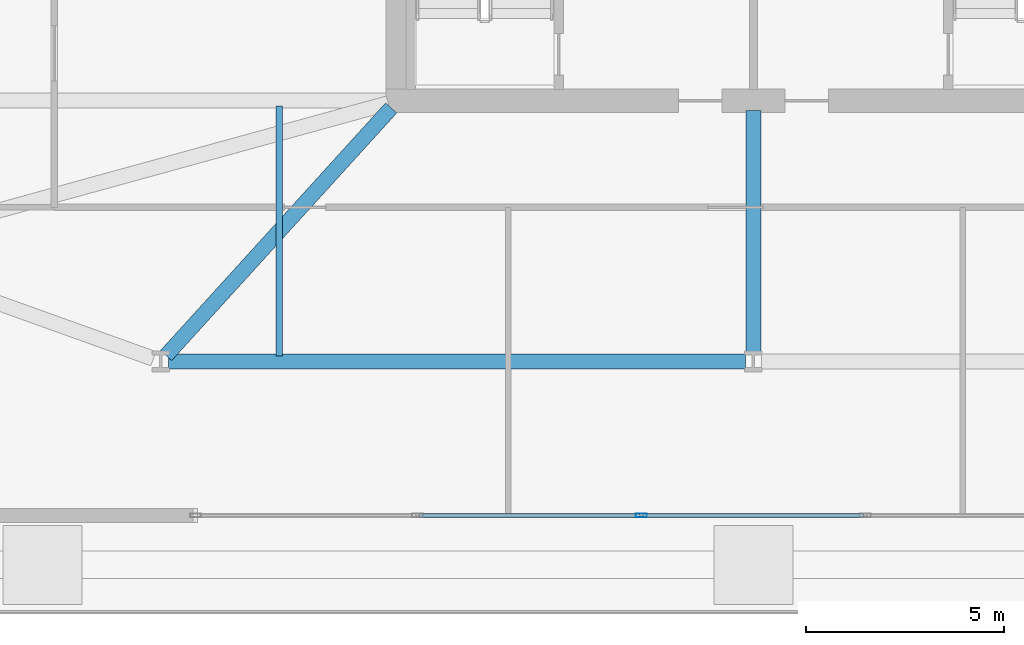
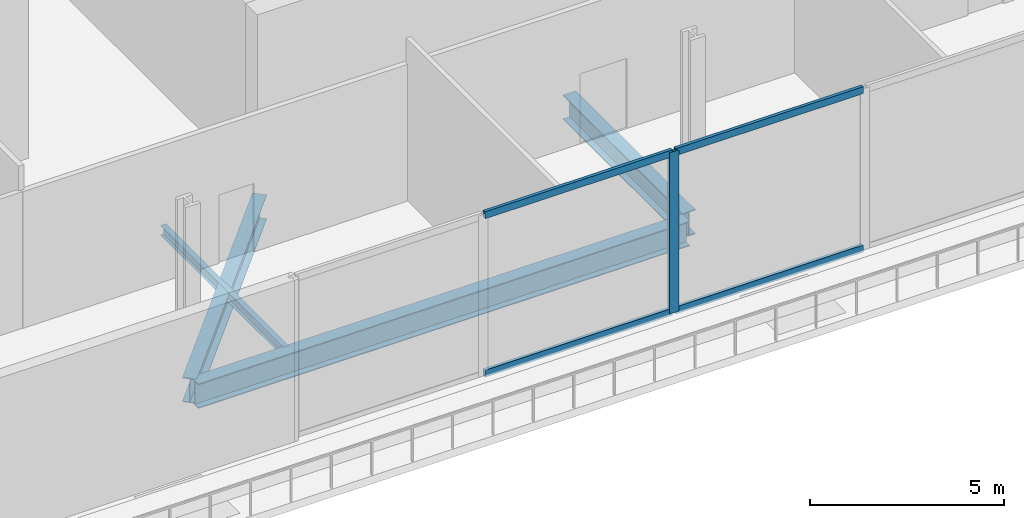
# One storey, part 3 of 20: 5 members, 4 beams, 1 element without a shape of its own.
"""IFC4 building model written with IfcOpenShell, lengths in metres."""

from ifc_helpers import new_model, si_unit, direction, frame, origin, origin_2d, place, context, subcontext, project, spatial, hollow_rectangle, i_section, extrude, material, material_profile, profile_set, type_object, element, aggregate, save


model = new_model("IFC4")

# Units and contexts
model_context = context("Model", 3, precision=1e-05, world=origin(), true_north=direction((0.0, 1.0)))
body_context = subcontext(model_context, "Body", "Model", "MODEL_VIEW")
ifc_project = project(units=[si_unit("LENGTHUNIT", "METRE"), si_unit("AREAUNIT", "SQUARE_METRE"), si_unit("VOLUMEUNIT", "CUBIC_METRE"), si_unit("PLANEANGLEUNIT", "RADIAN"), si_unit("MASSUNIT", "GRAM", prefix="KILO")], contexts=[model_context])

# Site, building, storey
site_placement = place(None, origin())
site = spatial("IfcSite", under=ifc_project, at=site_placement, CompositionType="ELEMENT")
building_placement = place(site_placement, origin())
building = spatial("IfcBuilding", under=site, at=building_placement, Name="Haldenkirk Collegiate Tower", CompositionType="ELEMENT")
storey_placement = place(building_placement, frame((0.0, 0.0, 11.39990234375)))
storey = spatial("IfcBuildingStorey", under=building, at=storey_placement, Name="L02", CompositionType="ELEMENT", Elevation=11.39990234375)

# Beams
ifc_material_1 = material(Name="Steel ASTM A992 Grade 50", Category="steel")
ifc_material_profile_1 = material_profile(ifc_material_1, i_section(OverallWidth=0.381103515625, OverallDepth=0.77294921875, WebThickness=0.0166015625, FlangeThickness=0.027099609375, at=origin_2d()), Name="W30X173")
ifc_profile_set_1 = profile_set([ifc_material_profile_1], Name="Steel ASTM A992 Grade 50")
beam_type_1 = type_object("IfcBeamType", Name="BM-GIRDER-W30X173", PredefinedType="BEAM", material=ifc_profile_set_1)
beam_1_placement = place(storey_placement, frame((21.199951171875, 11.39990234375, -0.71630859375), z_axis=(1.0, 0.0, 0.0), x_axis=(0.0, 1.0, 0.0)))
element("IfcBeam", 1, at=beam_1_placement, inside=storey, type_object=beam_type_1, Name="L02 podium ring girder 02", PredefinedType="BEAM", context=body_context, shape_type="SweptSolid", body=[
    extrude(i_section(OverallWidth=0.381103515625, OverallDepth=0.77294921875, WebThickness=0.0166015625, FlangeThickness=0.027099609375, at=origin_2d()), origin(), (0.0, 0.0, 1.0), 14.60009765625),
])
beam_2_placement = place(storey_placement, frame((36.0, 11.60009765625, -0.71630859375), z_axis=(0.0, 1.0, 0.0), x_axis=(-1.0, 0.0, 0.0)))
element("IfcBeam", 2, at=beam_2_placement, inside=storey, type_object=beam_type_1, Name="L02 podium radial girder 05", PredefinedType="BEAM", context=body_context, shape_type="SweptSolid", body=[
    extrude(i_section(OverallWidth=0.381103515625, OverallDepth=0.77294921875, WebThickness=0.0166015625, FlangeThickness=0.027099609375, at=origin_2d()), origin(), (0.0, 0.0, 1.0), 6.14990234375),
])
beam_3_placement = place(storey_placement, frame((21.134521484375, 11.548095703125, -0.71630859375), z_axis=(0.672681402593, 0.739932247307, 0.0), x_axis=(-0.739932247307, 0.672681402593, 0.0)))
element("IfcBeam", 3, at=beam_3_placement, inside=storey, type_object=beam_type_1, Name="L02 podium radial girder 07", PredefinedType="BEAM", context=body_context, shape_type="SweptSolid", body=[
    extrude(i_section(OverallWidth=0.381103515625, OverallDepth=0.77294921875, WebThickness=0.0166015625, FlangeThickness=0.027099609375, at=origin_2d()), origin(), (0.0, 0.0, 1.0), 8.469482421875),
])
ifc_material_profile_2 = material_profile(ifc_material_1, i_section(OverallWidth=0.1650390625, OverallDepth=0.31005859375, WebThickness=0.005859375, FlangeThickness=0.009765625, at=origin_2d()), Name="W12X26")
ifc_profile_set_2 = profile_set([ifc_material_profile_2], Name="Steel ASTM A992 Grade 50")
beam_type_2 = type_object("IfcBeamType", Name="BM-JOIST-W12X26", PredefinedType="JOIST", material=ifc_profile_set_2)
beam_4_placement = place(storey_placement, frame((24.0, 11.5400390625, -0.48486328125), z_axis=(0.0, 1.0, 0.0), x_axis=(-1.0, 0.0, 0.0)))
element("IfcBeam", 4, at=beam_4_placement, inside=storey, type_object=beam_type_2, Name="L02 south bay floor joist 1", PredefinedType="JOIST", context=body_context, shape_type="SweptSolid", body=[
    extrude(i_section(OverallWidth=0.1650390625, OverallDepth=0.31005859375, WebThickness=0.005859375, FlangeThickness=0.009765625, at=origin_2d()), origin(), (0.0, 0.0, 1.0), 6.320068359375),
])

# Curtain wall, members
ifc_material_2 = material(Name="Anodised architectural bronze aluminium", Category="aluminium")
curtain_wall_type = type_object("IfcCurtainWallType", Name="CW-SYS3-PODIUM", PredefinedType="USERDEFINED", material=ifc_material_2)
curtain_wall_placement = place(storey_placement, origin())
curtain_wall = element("IfcCurtainWall", 5, at=curtain_wall_placement, inside=storey, type_object=curtain_wall_type, Name="L02 Podium campus concourse and library storefront curtain wall", ObjectType="UNITISED CURTAIN WALL", PredefinedType="USERDEFINED")
ifc_material_profile_3 = material_profile(ifc_material_2, hollow_rectangle(XDim=0.094970703125, YDim=0.280029296875, WallThickness=0.0048828125, at=origin_2d()), Name="CW-MUL-03")
ifc_profile_set_3 = profile_set([ifc_material_profile_3], Name="Anodised architectural bronze aluminium")
member_type_1 = type_object("IfcMemberType", Name="CW-MUL-03", PredefinedType="MULLION", material=ifc_profile_set_3)
member_1_placement = place(storey_placement, frame((33.16650390625, 7.5, 0.0), z_axis=(0.0, 0.0, 1.0), x_axis=(0.0, -1.0, 0.0)))
member_1 = element("IfcMember", 6, at=member_1_placement, type_object=member_type_1, Name="CW-03 mullion 4", PredefinedType="MULLION", context=body_context, shape_type="SweptSolid", body=[
    extrude(hollow_rectangle(XDim=0.094970703125, YDim=0.280029296875, WallThickness=0.0048828125, at=origin_2d()), origin(), (0.0, 0.0, 1.0), 5.070068359375),
])
ifc_material_profile_4 = material_profile(ifc_material_2, hollow_rectangle(XDim=0.094970703125, YDim=0.219970703125, WallThickness=0.0048828125, at=origin_2d()), Name="CW-TRN-03")
ifc_profile_set_4 = profile_set([ifc_material_profile_4], Name="Anodised architectural bronze aluminium")
member_type_2 = type_object("IfcMemberType", Name="CW-TRN-03", PredefinedType="USERDEFINED", material=ifc_profile_set_4)
member_2_placement = place(storey_placement, frame((38.7861328125, 7.5, 0.047607421875), z_axis=(-1.0, 0.0, 0.0), x_axis=(0.0, -1.0, 0.0)))
member_2 = element("IfcMember", 7, at=member_2_placement, type_object=member_type_2, Name="CW-03 transom 3.1", ObjectType="TRANSOM", PredefinedType="USERDEFINED", context=body_context, shape_type="SweptSolid", body=[
    extrude(hollow_rectangle(XDim=0.094970703125, YDim=0.219970703125, WallThickness=0.0048828125, at=origin_2d()), origin(), (0.0, 0.0, 1.0), 5.572265625),
])
member_3_placement = place(storey_placement, frame((38.7861328125, 7.5, 5.022705078125), z_axis=(-1.0, 0.0, 0.0), x_axis=(0.0, -1.0, 0.0)))
member_3 = element("IfcMember", 8, at=member_3_placement, type_object=member_type_2, Name="CW-03 transom 3.2", ObjectType="TRANSOM", PredefinedType="USERDEFINED", context=body_context, shape_type="SweptSolid", body=[
    extrude(hollow_rectangle(XDim=0.094970703125, YDim=0.219970703125, WallThickness=0.0048828125, at=origin_2d()), origin(), (0.0, 0.0, 1.0), 5.572265625),
])
member_4_placement = place(storey_placement, frame((33.118896484375, 7.5, 0.047607421875), z_axis=(-1.0, 0.0, 0.0), x_axis=(0.0, -1.0, 0.0)))
member_4 = element("IfcMember", 9, at=member_4_placement, type_object=member_type_2, Name="CW-03 transom 4.1", ObjectType="TRANSOM", PredefinedType="USERDEFINED", context=body_context, shape_type="SweptSolid", body=[
    extrude(hollow_rectangle(XDim=0.094970703125, YDim=0.219970703125, WallThickness=0.0048828125, at=origin_2d()), origin(), (0.0, 0.0, 1.0), 5.572265625),
])
member_5_placement = place(storey_placement, frame((33.118896484375, 7.5, 5.022705078125), z_axis=(-1.0, 0.0, 0.0), x_axis=(0.0, -1.0, 0.0)))
member_5 = element("IfcMember", 10, at=member_5_placement, type_object=member_type_2, Name="CW-03 transom 4.2", ObjectType="TRANSOM", PredefinedType="USERDEFINED", context=body_context, shape_type="SweptSolid", body=[
    extrude(hollow_rectangle(XDim=0.094970703125, YDim=0.219970703125, WallThickness=0.0048828125, at=origin_2d()), origin(), (0.0, 0.0, 1.0), 5.572265625),
])
aggregate(curtain_wall, [member_1, member_2, member_3, member_4, member_5])

save(model, "model.ifc")
